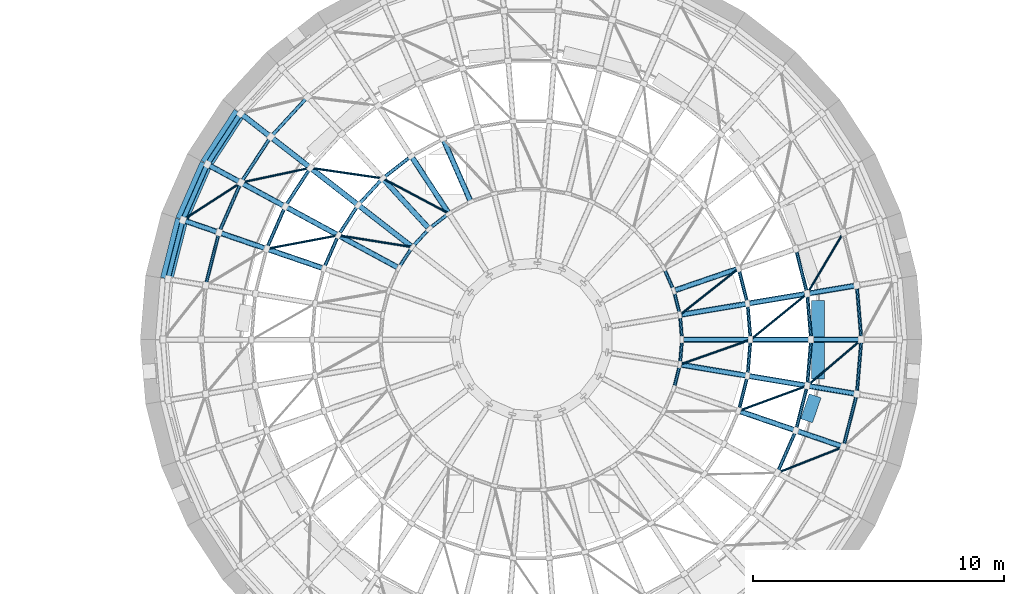
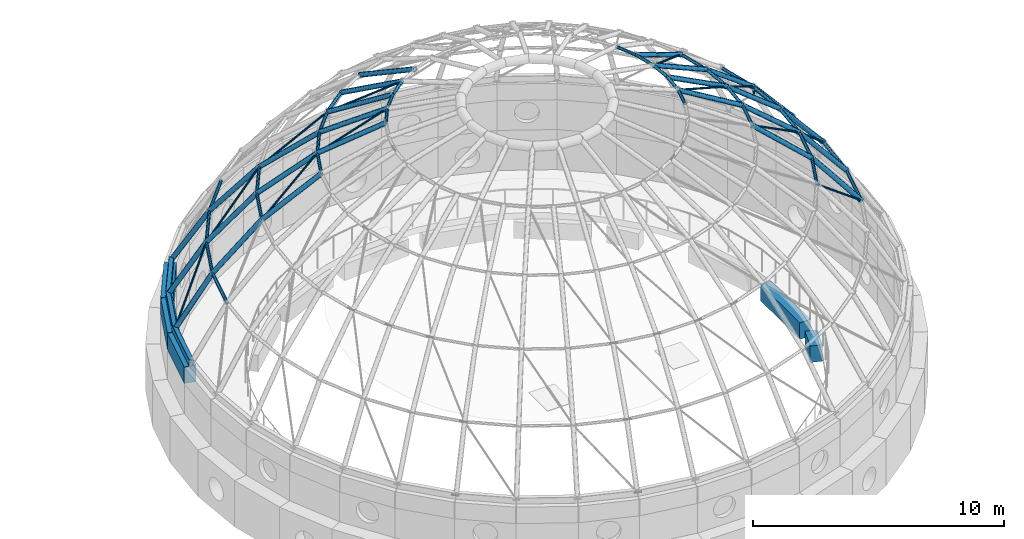
# One storey, part 31 of 98: 72 members, 5 beams.
"""IFC4 building model written with IfcOpenShell, lengths in metres."""

from ifc_helpers import new_model, si_unit, direction, frame, origin, origin_2d, place, context, subcontext, project, spatial, rectangle, hollow_rectangle, hollow_circle, extrude, material, material_profile, profile_set, type_object, element, save


model = new_model("IFC4")

# Units and contexts
model_context = context("Model", 3, precision=1e-05, world=origin(), true_north=direction((0.0, 1.0)))
body_context = subcontext(model_context, "Body", "Model", "MODEL_VIEW")
ifc_project = project(units=[si_unit("LENGTHUNIT", "METRE"), si_unit("AREAUNIT", "SQUARE_METRE"), si_unit("VOLUMEUNIT", "CUBIC_METRE"), si_unit("PLANEANGLEUNIT", "RADIAN"), si_unit("MASSUNIT", "GRAM", prefix="KILO")], contexts=[model_context])

# Site, building, storey
site_placement = place(None, origin())
site = spatial("IfcSite", under=ifc_project, at=site_placement, CompositionType="ELEMENT")
building_placement = place(site_placement, origin())
building = spatial("IfcBuilding", under=site, at=building_placement, Name="Sun Court Science Centre", CompositionType="ELEMENT")
storey_placement = place(building_placement, frame((0.0, 0.0, 15.75)))
storey = spatial("IfcBuildingStorey", under=building, at=storey_placement, Name="L03", CompositionType="ELEMENT", Elevation=15.75)

# Members
ifc_material_1 = material(Name="Steel S355", Category="steel")
ifc_material_profile_1 = material_profile(ifc_material_1, hollow_circle(Radius=0.04443359375, WallThickness=0.0048828125, at=origin_2d()), Name="CHS 88.9x5")
ifc_profile_set_1 = profile_set([ifc_material_profile_1], Name="Steel S355")
member_type_1 = type_object("IfcMemberType", Name="Dome brace CHS 88.9x5", PredefinedType="BRACE", material=ifc_profile_set_1)
for number, where, z_axis, x_axis, name in (
    (1, (56.935302734375, 97.79052734375, 12.534912109375), (0.708691583426, 0.560228456095, -0.428836001942), (-0.620145447366, 0.784486854008, 0.0), "Dome brace 2.1"),
    (2, (47.708740234375, 101.837646484375, 12.534912109375), (-0.797752839365, 0.423891643038, -0.428842957558), (-0.469228991418, -0.883076527608, 0.0), "Dome brace 2.13"),
    (3, (46.25146484375, 100.495849609375, 12.534912109375), (-0.892163578568, 0.141956948101, -0.428826741194), (-0.1571386204, -0.987576556009, 0.0), "Dome brace 2.15"),
    (4, (56.935302734375, 95.8095703125, 12.534912109375), (0.852188091042, 0.29980290369, -0.428828259826), (-0.331865772694, 0.943326618364, 0.0), "Dome brace 2.37"),
):
    element("IfcMember", number, at=place(storey_placement, frame(where, z_axis=z_axis, x_axis=x_axis)), inside=storey, type_object=member_type_1, Name=name, PredefinedType="BRACE", context=body_context, shape_type="SweptSolid", body=[
        extrude(hollow_circle(Radius=0.04443359375, WallThickness=0.0048828125, at=origin_2d()), origin(), (0.0, 0.0, 1.0), 3.3037109375),
    ])
for number, where, z_axis, x_axis, name in (
    (5, (45.0732421875, 103.238037109375, 11.1181640625), (-0.827649902377, 0.120437668855, -0.548170053009), (-0.144000998509, -0.989577542403, 0.0), "Dome brace 3.14"),
    (6, (43.303955078125, 100.96484375, 11.1181640625), (-0.821907729729, -0.154838980709, -0.548172029443), (0.185133128004, -0.982713450053, 0.0), "Dome brace 3.16"),
    (7, (59.276611328125, 93.958740234375, 11.1181640625), (0.785201119281, 0.288030855837, -0.548176457326), (-0.344385103098, 0.938828472493, 0.0), "Dome brace 3.36"),
    (8, (59.750732421875, 96.800048828125, 11.1181640625), (0.649139830721, 0.527369185735, -0.548178093423), (-0.630551625226, 0.776147310711, 0.0), "Dome brace 3.38"),
):
    element("IfcMember", number, at=place(storey_placement, frame(where, z_axis=z_axis, x_axis=x_axis)), inside=storey, type_object=member_type_1, Name=name, PredefinedType="BRACE", context=body_context, shape_type="SweptSolid", body=[
        extrude(hollow_circle(Radius=0.04443359375, WallThickness=0.0048828125, at=origin_2d()), origin(), (0.0, 0.0, 1.0), 3.484619140625),
    ])
for number, where, z_axis, x_axis, name in (
    (9, (62.0126953125, 98.6376953125, 9.2080078125), (0.39358906996, 0.664135855087, -0.63561876152), (-0.860276147964, 0.509828352727, 0.0), "Dome brace 4.1"),
    (10, (42.189208984375, 103.65771484375, 9.2080078125), (-0.755192883082, -0.160264945085, -0.635609043925), (0.20759409346, -0.97821505425, 0.0), "Dome brace 4.15"),
):
    element("IfcMember", number, at=place(storey_placement, frame(where, z_axis=z_axis, x_axis=x_axis)), inside=storey, type_object=member_type_1, Name=name, PredefinedType="BRACE", context=body_context, shape_type="SweptSolid", body=[
        extrude(hollow_circle(Radius=0.04443359375, WallThickness=0.0048828125, at=origin_2d()), origin(), (0.0, 0.0, 1.0), 3.6728515625),
    ])
member_1_placement = place(storey_placement, frame((60.8193359375, 91.486083984375, 9.2080078125), z_axis=(0.718521951447, 0.282316840392, -0.635628355975), x_axis=(-0.36569766157, 0.930733700003, 0.0)))
element("IfcMember", 11, at=member_1_placement, inside=storey, type_object=member_type_1, Name="Dome brace 4.35", PredefinedType="BRACE", context=body_context, shape_type="SweptSolid", body=[
    extrude(hollow_circle(Radius=0.04443359375, WallThickness=0.0048828125, at=origin_2d()), origin(), (0.0, 0.0, 1.0), 3.672607421875),
])
member_2_placement = place(storey_placement, frame((62.0126953125, 94.96240234375, 9.2080078125), z_axis=(0.587942475723, 0.500332732026, -0.635602708068), x_axis=(-0.648085693814, 0.761567418863, 0.0)))
element("IfcMember", 12, at=member_2_placement, inside=storey, type_object=member_type_1, Name="Dome brace 4.37", PredefinedType="BRACE", context=body_context, shape_type="SweptSolid", body=[
    extrude(hollow_circle(Radius=0.04443359375, WallThickness=0.0048828125, at=origin_2d()), origin(), (0.0, 0.0, 1.0), 3.6728515625),
])
member_3_placement = place(storey_placement, frame((39.41552734375, 103.069091796875, 6.87353515625), z_axis=(-0.619935801103, -0.400209240042, -0.674916414599), x_axis=(0.542366705583, -0.840141866993, 0.0)))
element("IfcMember", 13, at=member_3_placement, inside=storey, type_object=member_type_1, Name="Dome brace 5.16", PredefinedType="BRACE", context=body_context, shape_type="SweptSolid", body=[
    extrude(hollow_circle(Radius=0.04443359375, WallThickness=0.0048828125, at=origin_2d()), origin(), (0.0, 0.0, 1.0), 3.73876953125),
])
ifc_material_2 = material(Name="Steel S355", Category="steel")
ifc_material_profile_2 = material_profile(ifc_material_2, hollow_circle(Radius=0.109619140625, WallThickness=0.010009765625, at=origin_2d()), Name="CHS 219.1x10")
ifc_profile_set_2 = profile_set([ifc_material_profile_2], Name="Steel S355")
member_type_2 = type_object("IfcMemberType", Name="Dome rib CHS 219.1x10", PredefinedType="RAFTER", material=ifc_profile_set_2)
for number, where, z_axis, x_axis, name in (
    (14, (63.992431640625, 98.968017578125, 6.87353515625), (-0.643048457555, -0.107293693806, 0.758272210031), (0.164576510693, -0.986364320182, 0.0), "Dome rib 1"),
    (15, (62.0126953125, 98.6376953125, 9.2080078125), (-0.773528223597, -0.12910641255, 0.620472095696), (0.164628559834, -0.986355634286, 0.0), "Dome rib 1"),
    (16, (59.63134765625, 98.240234375, 11.1181640625), (-0.875723846543, -0.146072926318, 0.460185228786), (0.164529346299, -0.98637218848, 0.0), "Dome rib 1"),
    (17, (59.276611328125, 99.641357421875, 11.1181640625), (-0.839722834307, -0.288260695316, 0.460186193926), (0.324682825787, -0.945822955229, 0.0), "Dome rib 2"),
    (18, (47.48486328125, 104.813720703125, 11.1181640625), (0.356610821754, -0.813059985644, 0.460176250531), (0.915785903182, 0.401666751839, 0.0), "Dome rib 12"),
    (19, (46.2138671875, 104.125732421875, 11.1181640625), (0.485584994242, -0.743247193539, 0.460207369196), (0.837167836069, 0.546946079839, 0.0), "Dome rib 13"),
):
    element("IfcMember", number, at=place(storey_placement, frame(where, z_axis=z_axis, x_axis=x_axis)), inside=storey, type_object=member_type_2, Name=name, PredefinedType="RAFTER", context=body_context, shape_type="SweptSolid", body=[
        extrude(hollow_circle(Radius=0.109619140625, WallThickness=0.010009765625, at=origin_2d()), origin(), (0.0, 0.0, 1.0), 3.07861328125),
    ])
member_4_placement = place(storey_placement, frame((45.0732421875, 103.238037109375, 11.1181640625), z_axis=(0.601323996886, -0.653185515278, 0.460171852029), x_axis=(0.735710232443, 0.677296429843, 0.0)))
element("IfcMember", 20, at=member_4_placement, inside=storey, type_object=member_type_2, Name="Dome rib 14", PredefinedType="RAFTER", context=body_context, shape_type="SweptSolid", body=[
    extrude(hollow_circle(Radius=0.109619140625, WallThickness=0.010009765625, at=origin_2d()), origin(), (0.0, 0.0, 1.0), 3.078857421875),
])
member_5_placement = place(storey_placement, frame((39.400634765625, 105.828125, 4.35009765625), z_axis=(0.408506891912, -0.31794832256, 0.855588092158), x_axis=(0.614206271874, 0.789145522442, 0.0)))
element("IfcMember", 21, at=member_5_placement, inside=storey, type_object=member_type_2, Name="Dome rib 15", PredefinedType="RAFTER", context=body_context, shape_type="SweptSolid", body=[
    extrude(hollow_circle(Radius=0.109619140625, WallThickness=0.010009765625, at=origin_2d()), origin(), (0.0, 0.0, 1.0), 2.949462890625),
])
for number, where, z_axis, x_axis, name in (
    (22, (40.60546875, 104.890380859375, 6.87353515625), (0.514443805243, -0.40040492873, 0.758303016146), (0.614210078932, 0.789142559325, 0.0), "Dome rib 15"),
    (23, (42.189208984375, 103.65771484375, 9.2080078125), (0.618876307077, -0.481683071397, 0.620462356044), (0.614206603647, 0.789145264218, 0.0), "Dome rib 15"),
):
    element("IfcMember", number, at=place(storey_placement, frame(where, z_axis=z_axis, x_axis=x_axis)), inside=storey, type_object=member_type_2, Name=name, PredefinedType="RAFTER", context=body_context, shape_type="SweptSolid", body=[
        extrude(hollow_circle(Radius=0.109619140625, WallThickness=0.010009765625, at=origin_2d()), origin(), (0.0, 0.0, 1.0), 3.07861328125),
    ])
member_6_placement = place(storey_placement, frame((44.094482421875, 102.1748046875, 11.1181640625), z_axis=(0.70060564, -0.545338425159, 0.46017142376), x_axis=(0.614237379486, 0.789121309839, 0.0)))
element("IfcMember", 24, at=member_6_placement, inside=storey, type_object=member_type_2, Name="Dome rib 15", PredefinedType="RAFTER", context=body_context, shape_type="SweptSolid", body=[
    extrude(hollow_circle(Radius=0.109619140625, WallThickness=0.010009765625, at=origin_2d()), origin(), (0.0, 0.0, 1.0), 3.078857421875),
])
member_7_placement = place(storey_placement, frame((38.07275390625, 103.7958984375, 4.35009765625), z_axis=(0.455268336648, -0.246424334219, 0.855573368654), x_axis=(0.476015271068, 0.879437014066, 0.0)))
element("IfcMember", 25, at=member_7_placement, inside=storey, type_object=member_type_2, Name="Dome rib 16", PredefinedType="RAFTER", context=body_context, shape_type="SweptSolid", body=[
    extrude(hollow_circle(Radius=0.109619140625, WallThickness=0.010009765625, at=origin_2d()), origin(), (0.0, 0.0, 1.0), 2.949462890625),
])
for number, where, z_axis, x_axis, name in (
    (26, (39.41552734375, 103.069091796875, 6.87353515625), (0.573360992628, -0.310233499746, 0.758295686239), (0.475883378451, 0.879508391156, 0.0), "Dome rib 16"),
    (27, (41.1806640625, 102.114013671875, 9.2080078125), (0.689698238395, -0.373279246651, 0.620466714638), (0.475980162168, 0.87945601665, 0.0), "Dome rib 16"),
    (28, (43.303955078125, 100.96484375, 11.1181640625), (0.780823591281, -0.422529767859, 0.460198994536), (0.475920534814, 0.87948828562, 0.0), "Dome rib 16"),
):
    element("IfcMember", number, at=place(storey_placement, frame(where, z_axis=z_axis, x_axis=x_axis)), inside=storey, type_object=member_type_2, Name=name, PredefinedType="RAFTER", context=body_context, shape_type="SweptSolid", body=[
        extrude(hollow_circle(Radius=0.109619140625, WallThickness=0.010009765625, at=origin_2d()), origin(), (0.0, 0.0, 1.0), 3.07861328125),
    ])
member_8_placement = place(storey_placement, frame((37.09765625, 101.57275390625, 4.35009765625), z_axis=(0.489620977402, -0.168118377871, 0.855574374037), x_axis=(0.324753528626, 0.945798681351, 0.0)))
element("IfcMember", 29, at=member_8_placement, inside=storey, type_object=member_type_2, Name="Dome rib 17", PredefinedType="RAFTER", context=body_context, shape_type="SweptSolid", body=[
    extrude(hollow_circle(Radius=0.109619140625, WallThickness=0.010009765625, at=origin_2d()), origin(), (0.0, 0.0, 1.0), 2.949462890625),
])
for number, where, z_axis, x_axis, name in (
    (30, (38.541748046875, 101.076904296875, 6.87353515625), (0.616585916142, -0.211661454686, 0.758301547286), (0.324681962503, 0.945823251578, 0.0), "Dome rib 17"),
    (31, (40.43994140625, 100.42529296875, 9.2080078125), (0.741731570983, -0.254645576224, 0.620475549169), (0.324709514546, 0.945813793071, 0.0), "Dome rib 17"),
    (32, (63.458251953125, 92.52294921875, 6.87353515625), (-0.616575564744, 0.211737203584, 0.758288816731), (-0.324790781277, -0.945785889299, 0.0), "Dome rib 36"),
    (33, (61.56005859375, 93.1748046875, 9.2080078125), (-0.741731570983, 0.254645576224, 0.620475549169), (-0.324709514546, -0.945813793071, 0.0), "Dome rib 36"),
    (34, (63.992431640625, 94.6318359375, 6.87353515625), (-0.643042984256, 0.107372080489, 0.758265756006), (-0.164694850734, -0.986344567655, 0.0), "Dome rib 37"),
    (35, (62.0126953125, 94.96240234375, 9.2080078125), (-0.773536141144, 0.129028429531, 0.620478446618), (-0.164530174881, -0.98637205027, 0.0), "Dome rib 37"),
    (36, (59.63134765625, 95.359619140625, 11.1181640625), (-0.875713699784, 0.146150534158, 0.460179896753), (-0.164616247506, -0.986357689207, 0.0), "Dome rib 37"),
    (37, (64.172119140625, 96.800048828125, 6.87353515625), (-0.651933503508, 0.0, 0.758276141655), (0.0, -1.0, 0.0), "Dome rib 38"),
    (38, (62.1650390625, 96.800048828125, 9.2080078125), (-0.784230717941, 0.0, 0.620469323205), (0.0, -1.0, 0.0), "Dome rib 38"),
):
    element("IfcMember", number, at=place(storey_placement, frame(where, z_axis=z_axis, x_axis=x_axis)), inside=storey, type_object=member_type_2, Name=name, PredefinedType="RAFTER", context=body_context, shape_type="SweptSolid", body=[
        extrude(hollow_circle(Radius=0.109619140625, WallThickness=0.010009765625, at=origin_2d()), origin(), (0.0, 0.0, 1.0), 3.07861328125),
    ])
member_9_placement = place(storey_placement, frame((59.750732421875, 96.800048828125, 11.1181640625), z_axis=(-0.887830132015, 0.0, 0.460171334055), x_axis=(0.0, -1.0, 0.0)))
element("IfcMember", 39, at=member_9_placement, inside=storey, type_object=member_type_2, Name="Dome rib 38", PredefinedType="RAFTER", context=body_context, shape_type="SweptSolid", body=[
    extrude(hollow_circle(Radius=0.109619140625, WallThickness=0.010009765625, at=origin_2d()), origin(), (0.0, 0.0, 1.0), 3.078857421875),
])
ifc_material_3 = material(Name="Steel S355", Category="steel")
ifc_material_profile_3 = material_profile(ifc_material_3, hollow_circle(Radius=0.06982421875, WallThickness=0.00634765625, at=origin_2d()), Name="CHS 139.7x6.3")
ifc_profile_set_3 = profile_set([ifc_material_profile_3], Name="Steel S355")
member_type_3 = type_object("IfcMemberType", Name="Dome ring CHS 139.7x6.3", PredefinedType="MEMBER", material=ifc_profile_set_3)
member_10_placement = place(storey_placement, frame((56.935302734375, 97.79052734375, 12.534912109375), z_axis=(-0.245424789416, 0.969415634669, 0.0), x_axis=(-0.969415634669, -0.245424789416, 0.0)))
element("IfcMember", 40, at=member_10_placement, inside=storey, type_object=member_type_3, Name="Dome ring 2 chord 1", PredefinedType="MEMBER", context=body_context, shape_type="SweptSolid", body=[
    extrude(hollow_circle(Radius=0.06982421875, WallThickness=0.00634765625, at=origin_2d()), origin(), (0.0, 0.0, 1.0), 0.99365234375),
])
member_11_placement = place(storey_placement, frame((59.63134765625, 98.240234375, 11.1181640625), z_axis=(-0.245435932736, 0.969412813471, 0.0), x_axis=(-0.969412813471, -0.245435932736, 0.0)))
element("IfcMember", 41, at=member_11_placement, inside=storey, type_object=member_type_3, Name="Dome ring 3 chord 1", PredefinedType="MEMBER", context=body_context, shape_type="SweptSolid", body=[
    extrude(hollow_circle(Radius=0.06982421875, WallThickness=0.00634765625, at=origin_2d()), origin(), (0.0, 0.0, 1.0), 1.4453125),
])
member_12_placement = place(storey_placement, frame((62.0126953125, 98.6376953125, 9.2080078125), z_axis=(-0.245462815718, 0.969406006841, 0.0), x_axis=(-0.969406006841, -0.245462815718, 0.0)))
element("IfcMember", 42, at=member_12_placement, inside=storey, type_object=member_type_3, Name="Dome ring 4 chord 1", PredefinedType="MEMBER", context=body_context, shape_type="SweptSolid", body=[
    extrude(hollow_circle(Radius=0.06982421875, WallThickness=0.00634765625, at=origin_2d()), origin(), (0.0, 0.0, 1.0), 1.843994140625),
])
for number, where, z_axis, x_axis, name in (
    (43, (56.69140625, 98.75390625, 12.534912109375), (-0.401643422927, 0.915796134967, 0.0), (-0.915796134967, -0.401643422927, 0.0), "Dome ring 2 chord 2"),
    (44, (47.708740234375, 101.837646484375, 12.534912109375), (-0.789021422857, -0.614365684485, 0.0), (0.614365684485, -0.789021422857, 0.0), "Dome ring 2 chord 13"),
):
    element("IfcMember", number, at=place(storey_placement, frame(where, z_axis=z_axis, x_axis=x_axis)), inside=storey, type_object=member_type_3, Name=name, PredefinedType="MEMBER", context=body_context, shape_type="SweptSolid", body=[
        extrude(hollow_circle(Radius=0.06982421875, WallThickness=0.00634765625, at=origin_2d()), origin(), (0.0, 0.0, 1.0), 0.993896484375),
    ])
member_13_placement = place(storey_placement, frame((46.2138671875, 104.125732421875, 11.1181640625), z_axis=(-0.789170274405, -0.614174468694, 0.0), x_axis=(0.614174468694, -0.789170274405, 0.0)))
element("IfcMember", 45, at=member_13_placement, inside=storey, type_object=member_type_3, Name="Dome ring 3 chord 13", PredefinedType="MEMBER", context=body_context, shape_type="SweptSolid", body=[
    extrude(hollow_circle(Radius=0.06982421875, WallThickness=0.00634765625, at=origin_2d()), origin(), (0.0, 0.0, 1.0), 1.4453125),
])
member_14_placement = place(storey_placement, frame((46.924560546875, 101.22705078125, 12.534912109375), z_axis=(-0.677269374655, -0.735735138589, 0.0), x_axis=(0.735735138589, -0.677269374655, 0.0)))
element("IfcMember", 46, at=member_14_placement, inside=storey, type_object=member_type_3, Name="Dome ring 2 chord 14", PredefinedType="MEMBER", context=body_context, shape_type="SweptSolid", body=[
    extrude(hollow_circle(Radius=0.06982421875, WallThickness=0.00634765625, at=origin_2d()), origin(), (0.0, 0.0, 1.0), 0.993896484375),
])
member_15_placement = place(storey_placement, frame((45.0732421875, 103.238037109375, 11.1181640625), z_axis=(-0.677276091985, -0.735728955, 0.0), x_axis=(0.735728955, -0.677276091985, 0.0)))
element("IfcMember", 47, at=member_15_placement, inside=storey, type_object=member_type_3, Name="Dome ring 3 chord 14", PredefinedType="MEMBER", context=body_context, shape_type="SweptSolid", body=[
    extrude(hollow_circle(Radius=0.06982421875, WallThickness=0.00634765625, at=origin_2d()), origin(), (0.0, 0.0, 1.0), 1.445068359375),
])
member_16_placement = place(storey_placement, frame((42.078857421875, 106.490966796875, 6.87353515625), z_axis=(-0.677268015701, -0.73573638955, 0.0), x_axis=(0.73573638955, -0.677268015701, 0.0)))
element("IfcMember", 48, at=member_16_placement, inside=storey, type_object=member_type_3, Name="Dome ring 5 chord 14", PredefinedType="MEMBER", context=body_context, shape_type="SweptSolid", body=[
    extrude(hollow_circle(Radius=0.06982421875, WallThickness=0.00634765625, at=origin_2d()), origin(), (0.0, 0.0, 1.0), 2.175537109375),
])
member_17_placement = place(storey_placement, frame((46.25146484375, 100.495849609375, 12.534912109375), z_axis=(-0.547136827423, -0.837043184118, 0.0), x_axis=(0.837043184118, -0.547136827423, 0.0)))
element("IfcMember", 49, at=member_17_placement, inside=storey, type_object=member_type_3, Name="Dome ring 2 chord 15", PredefinedType="MEMBER", context=body_context, shape_type="SweptSolid", body=[
    extrude(hollow_circle(Radius=0.06982421875, WallThickness=0.00634765625, at=origin_2d()), origin(), (0.0, 0.0, 1.0), 0.99365234375),
])
member_18_placement = place(storey_placement, frame((44.094482421875, 102.1748046875, 11.1181640625), z_axis=(-0.54695805486, -0.837160012318, 0.0), x_axis=(0.837160012318, -0.54695805486, 0.0)))
element("IfcMember", 50, at=member_18_placement, inside=storey, type_object=member_type_3, Name="Dome ring 3 chord 15", PredefinedType="MEMBER", context=body_context, shape_type="SweptSolid", body=[
    extrude(hollow_circle(Radius=0.06982421875, WallThickness=0.00634765625, at=origin_2d()), origin(), (0.0, 0.0, 1.0), 1.4453125),
])
member_19_placement = place(storey_placement, frame((42.189208984375, 103.65771484375, 9.2080078125), z_axis=(-0.546946109542, -0.837167816663, 0.0), x_axis=(0.837167816663, -0.546946109542, 0.0)))
element("IfcMember", 51, at=member_19_placement, inside=storey, type_object=member_type_3, Name="Dome ring 4 chord 15", PredefinedType="MEMBER", context=body_context, shape_type="SweptSolid", body=[
    extrude(hollow_circle(Radius=0.06982421875, WallThickness=0.00634765625, at=origin_2d()), origin(), (0.0, 0.0, 1.0), 1.843994140625),
])
member_20_placement = place(storey_placement, frame((40.60546875, 104.890380859375, 6.87353515625), z_axis=(-0.546959070488, -0.837159348757, 0.0), x_axis=(0.837159348757, -0.546959070488, 0.0)))
element("IfcMember", 52, at=member_20_placement, inside=storey, type_object=member_type_3, Name="Dome ring 5 chord 15", PredefinedType="MEMBER", context=body_context, shape_type="SweptSolid", body=[
    extrude(hollow_circle(Radius=0.06982421875, WallThickness=0.00634765625, at=origin_2d()), origin(), (0.0, 0.0, 1.0), 2.175537109375),
])
member_21_placement = place(storey_placement, frame((43.303955078125, 100.96484375, 11.1181640625), z_axis=(-0.401713690684, -0.915765314214, 0.0), x_axis=(0.915765314214, -0.401713690684, 0.0)))
element("IfcMember", 53, at=member_21_placement, inside=storey, type_object=member_type_3, Name="Dome ring 3 chord 16", PredefinedType="MEMBER", context=body_context, shape_type="SweptSolid", body=[
    extrude(hollow_circle(Radius=0.06982421875, WallThickness=0.00634765625, at=origin_2d()), origin(), (0.0, 0.0, 1.0), 1.4453125),
])
member_22_placement = place(storey_placement, frame((41.1806640625, 102.114013671875, 9.2080078125), z_axis=(-0.401686818832, -0.91577710147, 0.0), x_axis=(0.91577710147, -0.401686818832, 0.0)))
element("IfcMember", 54, at=member_22_placement, inside=storey, type_object=member_type_3, Name="Dome ring 4 chord 16", PredefinedType="MEMBER", context=body_context, shape_type="SweptSolid", body=[
    extrude(hollow_circle(Radius=0.06982421875, WallThickness=0.00634765625, at=origin_2d()), origin(), (0.0, 0.0, 1.0), 1.843994140625),
])
member_23_placement = place(storey_placement, frame((39.41552734375, 103.069091796875, 6.87353515625), z_axis=(-0.401666448901, -0.915786036052, 0.0), x_axis=(0.915786036052, -0.401666448901, 0.0)))
element("IfcMember", 55, at=member_23_placement, inside=storey, type_object=member_type_3, Name="Dome ring 5 chord 16", PredefinedType="MEMBER", context=body_context, shape_type="SweptSolid", body=[
    extrude(hollow_circle(Radius=0.06982421875, WallThickness=0.00634765625, at=origin_2d()), origin(), (0.0, 0.0, 1.0), 2.17529296875),
])
member_24_placement = place(storey_placement, frame((38.541748046875, 101.076904296875, 6.87353515625), z_axis=(-0.245544683746, -0.9693852734, 0.0), x_axis=(0.9693852734, -0.245544683746, 0.0)))
element("IfcMember", 56, at=member_24_placement, inside=storey, type_object=member_type_3, Name="Dome ring 5 chord 17", PredefinedType="MEMBER", context=body_context, shape_type="SweptSolid", body=[
    extrude(hollow_circle(Radius=0.06982421875, WallThickness=0.00634765625, at=origin_2d()), origin(), (0.0, 0.0, 1.0), 2.175537109375),
])
member_25_placement = place(storey_placement, frame((60.8193359375, 91.486083984375, 9.2080078125), z_axis=(0.401686818832, 0.91577710147, 0.0), x_axis=(-0.91577710147, 0.401686818832, 0.0)))
element("IfcMember", 57, at=member_25_placement, inside=storey, type_object=member_type_3, Name="Dome ring 4 chord 35", PredefinedType="MEMBER", context=body_context, shape_type="SweptSolid", body=[
    extrude(hollow_circle(Radius=0.06982421875, WallThickness=0.00634765625, at=origin_2d()), origin(), (0.0, 0.0, 1.0), 1.843994140625),
])
member_26_placement = place(storey_placement, frame((56.69140625, 94.84619140625, 12.534912109375), z_axis=(0.245424789416, 0.969415634669, 0.0), x_axis=(-0.969415634669, 0.245424789416, 0.0)))
element("IfcMember", 58, at=member_26_placement, inside=storey, type_object=member_type_3, Name="Dome ring 2 chord 36", PredefinedType="MEMBER", context=body_context, shape_type="SweptSolid", body=[
    extrude(hollow_circle(Radius=0.06982421875, WallThickness=0.00634765625, at=origin_2d()), origin(), (0.0, 0.0, 1.0), 0.99365234375),
])
member_27_placement = place(storey_placement, frame((59.276611328125, 93.958740234375, 11.1181640625), z_axis=(0.245476129239, 0.969402635634, 0.0), x_axis=(-0.969402635634, 0.245476129239, 0.0)))
element("IfcMember", 59, at=member_27_placement, inside=storey, type_object=member_type_3, Name="Dome ring 3 chord 36", PredefinedType="MEMBER", context=body_context, shape_type="SweptSolid", body=[
    extrude(hollow_circle(Radius=0.06982421875, WallThickness=0.00634765625, at=origin_2d()), origin(), (0.0, 0.0, 1.0), 1.445068359375),
])
member_28_placement = place(storey_placement, frame((61.56005859375, 93.1748046875, 9.2080078125), z_axis=(0.245462815718, 0.969406006841, 0.0), x_axis=(-0.969406006841, 0.245462815718, 0.0)))
element("IfcMember", 60, at=member_28_placement, inside=storey, type_object=member_type_3, Name="Dome ring 4 chord 36", PredefinedType="MEMBER", context=body_context, shape_type="SweptSolid", body=[
    extrude(hollow_circle(Radius=0.06982421875, WallThickness=0.00634765625, at=origin_2d()), origin(), (0.0, 0.0, 1.0), 1.843994140625),
])
member_29_placement = place(storey_placement, frame((63.458251953125, 92.52294921875, 6.87353515625), z_axis=(0.245544683746, 0.9693852734, 0.0), x_axis=(-0.9693852734, 0.245544683746, 0.0)))
element("IfcMember", 61, at=member_29_placement, inside=storey, type_object=member_type_3, Name="Dome ring 5 chord 36", PredefinedType="MEMBER", context=body_context, shape_type="SweptSolid", body=[
    extrude(hollow_circle(Radius=0.06982421875, WallThickness=0.00634765625, at=origin_2d()), origin(), (0.0, 0.0, 1.0), 2.175537109375),
])
member_30_placement = place(storey_placement, frame((56.935302734375, 95.8095703125, 12.534912109375), z_axis=(0.082537234849, 0.996587981497, 0.0), x_axis=(-0.996587981497, 0.082537234849, 0.0)))
element("IfcMember", 62, at=member_30_placement, inside=storey, type_object=member_type_3, Name="Dome ring 2 chord 37", PredefinedType="MEMBER", context=body_context, shape_type="SweptSolid", body=[
    extrude(hollow_circle(Radius=0.06982421875, WallThickness=0.00634765625, at=origin_2d()), origin(), (0.0, 0.0, 1.0), 0.993896484375),
])
member_31_placement = place(storey_placement, frame((59.63134765625, 95.359619140625, 11.1181640625), z_axis=(0.082598144957, 0.996582935058, 0.0), x_axis=(-0.996582935058, 0.082598144957, 0.0)))
element("IfcMember", 63, at=member_31_placement, inside=storey, type_object=member_type_3, Name="Dome ring 3 chord 37", PredefinedType="MEMBER", context=body_context, shape_type="SweptSolid", body=[
    extrude(hollow_circle(Radius=0.06982421875, WallThickness=0.00634765625, at=origin_2d()), origin(), (0.0, 0.0, 1.0), 1.4453125),
])
member_32_placement = place(storey_placement, frame((62.0126953125, 94.96240234375, 9.2080078125), z_axis=(0.082618137027, 0.996581277887, 0.0), x_axis=(-0.996581277887, 0.082618137027, 0.0)))
element("IfcMember", 64, at=member_32_placement, inside=storey, type_object=member_type_3, Name="Dome ring 4 chord 37", PredefinedType="MEMBER", context=body_context, shape_type="SweptSolid", body=[
    extrude(hollow_circle(Radius=0.06982421875, WallThickness=0.00634765625, at=origin_2d()), origin(), (0.0, 0.0, 1.0), 1.843994140625),
])
member_33_placement = place(storey_placement, frame((63.992431640625, 94.6318359375, 6.87353515625), z_axis=(0.082590419037, 0.996583575363, 0.0), x_axis=(-0.996583575363, 0.082590419037, 0.0)))
element("IfcMember", 65, at=member_33_placement, inside=storey, type_object=member_type_3, Name="Dome ring 5 chord 37", PredefinedType="MEMBER", context=body_context, shape_type="SweptSolid", body=[
    extrude(hollow_circle(Radius=0.06982421875, WallThickness=0.00634765625, at=origin_2d()), origin(), (0.0, 0.0, 1.0), 2.175537109375),
])
member_34_placement = place(storey_placement, frame((57.017333984375, 96.800048828125, 12.534912109375), z_axis=(-0.082537234849, 0.996587981497, 0.0), x_axis=(-0.996587981497, -0.082537234849, 0.0)))
element("IfcMember", 66, at=member_34_placement, inside=storey, type_object=member_type_3, Name="Dome ring 2 chord 38", PredefinedType="MEMBER", context=body_context, shape_type="SweptSolid", body=[
    extrude(hollow_circle(Radius=0.06982421875, WallThickness=0.00634765625, at=origin_2d()), origin(), (0.0, 0.0, 1.0), 0.993896484375),
])
member_35_placement = place(storey_placement, frame((59.750732421875, 96.800048828125, 11.1181640625), z_axis=(-0.082612051463, 0.996581782371, 0.0), x_axis=(-0.996581782371, -0.082612051463, 0.0)))
element("IfcMember", 67, at=member_35_placement, inside=storey, type_object=member_type_3, Name="Dome ring 3 chord 38", PredefinedType="MEMBER", context=body_context, shape_type="SweptSolid", body=[
    extrude(hollow_circle(Radius=0.06982421875, WallThickness=0.00634765625, at=origin_2d()), origin(), (0.0, 0.0, 1.0), 1.445068359375),
])
member_36_placement = place(storey_placement, frame((62.1650390625, 96.800048828125, 9.2080078125), z_axis=(-0.082618137027, 0.996581277887, 0.0), x_axis=(-0.996581277887, -0.082618137027, 0.0)))
element("IfcMember", 68, at=member_36_placement, inside=storey, type_object=member_type_3, Name="Dome ring 4 chord 38", PredefinedType="MEMBER", context=body_context, shape_type="SweptSolid", body=[
    extrude(hollow_circle(Radius=0.06982421875, WallThickness=0.00634765625, at=origin_2d()), origin(), (0.0, 0.0, 1.0), 1.843994140625),
])
member_37_placement = place(storey_placement, frame((64.172119140625, 96.800048828125, 6.87353515625), z_axis=(-0.082599656307, 0.996582809795, 0.0), x_axis=(-0.996582809795, -0.082599656307, 0.0)))
element("IfcMember", 69, at=member_37_placement, inside=storey, type_object=member_type_3, Name="Dome ring 5 chord 38", PredefinedType="MEMBER", context=body_context, shape_type="SweptSolid", body=[
    extrude(hollow_circle(Radius=0.06982421875, WallThickness=0.00634765625, at=origin_2d()), origin(), (0.0, 0.0, 1.0), 2.17529296875),
])
ifc_material_4 = material(Name="Steel S355", Category="steel")
ifc_material_profile_4 = material_profile(ifc_material_4, hollow_rectangle(XDim=0.199951171875, YDim=0.300048828125, WallThickness=0.012451171875, InnerFilletRadius=0.012451171875, OuterFilletRadius=0.018798828125, at=origin_2d()), Name="RHS 300x200x12.5")
ifc_profile_set_4 = profile_set([ifc_material_profile_4], Name="Steel S355")
member_type_4 = type_object("IfcMemberType", Name="Dome tension ring RHS 300x200x12.5", PredefinedType="MEMBER", material=ifc_profile_set_4)
for number, where, z_axis, x_axis, name in (
    (70, (39.400634765625, 105.828125, 4.35009765625), (-0.546994632394, -0.837136113265, 0.0), (0.837136113265, -0.546994632394, 0.0), "Dome tension ring 15"),
    (71, (38.07275390625, 103.7958984375, 4.35009765625), (-0.401673332829, -0.91578301671, 0.0), (0.91578301671, -0.401673332829, 0.0), "Dome tension ring 16"),
):
    element("IfcMember", number, at=place(storey_placement, frame(where, z_axis=z_axis, x_axis=x_axis)), inside=storey, type_object=member_type_4, Name=name, PredefinedType="MEMBER", context=body_context, shape_type="SweptSolid", body=[
        extrude(hollow_rectangle(XDim=0.199951171875, YDim=0.300048828125, WallThickness=0.012451171875, InnerFilletRadius=0.012451171875, OuterFilletRadius=0.018798828125, at=origin_2d()), origin(), (0.0, 0.0, 1.0), 2.427490234375),
    ])
member_38_placement = place(storey_placement, frame((37.09765625, 101.57275390625, 4.35009765625), z_axis=(-0.245468520402, -0.969404562343, 0.0), x_axis=(0.969404562343, -0.245468520402, 0.0)))
element("IfcMember", 72, at=member_38_placement, inside=storey, type_object=member_type_4, Name="Dome tension ring 17", PredefinedType="MEMBER", context=body_context, shape_type="SweptSolid", body=[
    extrude(hollow_rectangle(XDim=0.199951171875, YDim=0.300048828125, WallThickness=0.012451171875, InnerFilletRadius=0.012451171875, OuterFilletRadius=0.018798828125, at=origin_2d()), origin(), (0.0, 0.0, 1.0), 2.427734375),
])

# Beams
ifc_material_5 = material(Name="Concrete C25/30", Category="concrete")
ifc_material_profile_5 = material_profile(ifc_material_5, rectangle(XDim=0.5, YDim=0.800048828125, at=origin_2d()), Name="RC 500x800")
ifc_profile_set_5 = profile_set([ifc_material_profile_5], Name="Concrete C25/30")
beam_type = type_object("IfcBeamType", Name="RC girder 500x800", PredefinedType="BEAM", material=ifc_profile_set_5)
beam_1_placement = place(storey_placement, frame((39.36083984375, 105.859130859375, 3.800048828125), z_axis=(-0.546927979397, -0.837179661335, 0.0), x_axis=(0.837179661335, -0.546927979397, 0.0)))
element("IfcBeam", 73, at=beam_1_placement, inside=storey, type_object=beam_type, Name="Drum ring beam 15", PredefinedType="BEAM", context=body_context, shape_type="SweptSolid", body=[
    extrude(rectangle(XDim=0.5, YDim=0.800048828125, at=origin_2d()), origin(), (0.0, 0.0, 1.0), 2.43603515625),
])
beam_2_placement = place(storey_placement, frame((38.028564453125, 103.81982421875, 3.800048828125), z_axis=(-0.401707209598, -0.915768157209, 0.0), x_axis=(0.915768157209, -0.401707209598, 0.0)))
element("IfcBeam", 74, at=beam_2_placement, inside=storey, type_object=beam_type, Name="Drum ring beam 16", PredefinedType="BEAM", context=body_context, shape_type="SweptSolid", body=[
    extrude(rectangle(XDim=0.5, YDim=0.800048828125, at=origin_2d()), origin(), (0.0, 0.0, 1.0), 2.435791015625),
])
beam_3_placement = place(storey_placement, frame((37.050048828125, 101.589111328125, 3.800048828125), z_axis=(-0.245529158893, -0.969389205703, 0.0), x_axis=(0.969389205703, -0.245529158893, 0.0)))
element("IfcBeam", 75, at=beam_3_placement, inside=storey, type_object=beam_type, Name="Drum ring beam 17", PredefinedType="BEAM", context=body_context, shape_type="SweptSolid", body=[
    extrude(rectangle(XDim=0.5, YDim=0.800048828125, at=origin_2d()), origin(), (0.0, 0.0, 1.0), 2.43603515625),
])
beam_4_placement = place(storey_placement, frame((61.986328125, 93.564208984375, -0.699951171875), z_axis=(0.324839997595, 0.945768986573, 0.0), x_axis=(-0.945768986573, 0.324839997595, 0.0)))
element("IfcBeam", 76, at=beam_4_placement, inside=storey, type_object=beam_type, Name="Gallery ring beam", PredefinedType="BEAM", context=body_context, shape_type="SweptSolid", body=[
    extrude(rectangle(XDim=0.5, YDim=0.800048828125, at=origin_2d()), origin(), (0.0, 0.0, 1.0), 1.052978515625),
])
beam_5_placement = place(storey_placement, frame((62.44189453125, 95.24072265625, -0.699951171875), z_axis=(0.0, 1.0, 0.0), x_axis=(-1.0, 0.0, 0.0)))
element("IfcBeam", 77, at=beam_5_placement, inside=storey, type_object=beam_type, Name="Gallery ring beam", PredefinedType="BEAM", context=body_context, shape_type="SweptSolid", body=[
    extrude(rectangle(XDim=0.5, YDim=0.800048828125, at=origin_2d()), origin(), (0.0, 0.0, 1.0), 3.11865234375),
])

save(model, "model.ifc")
